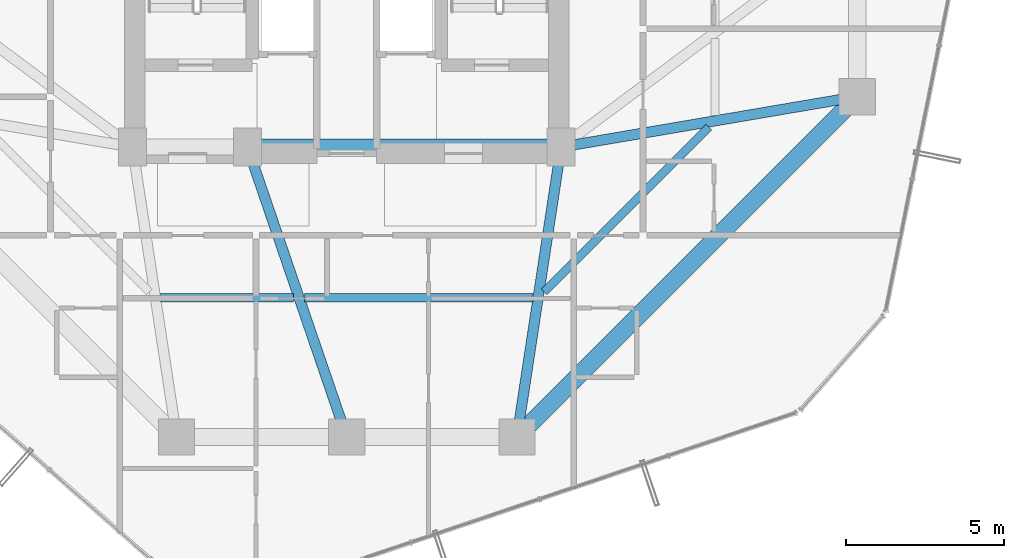
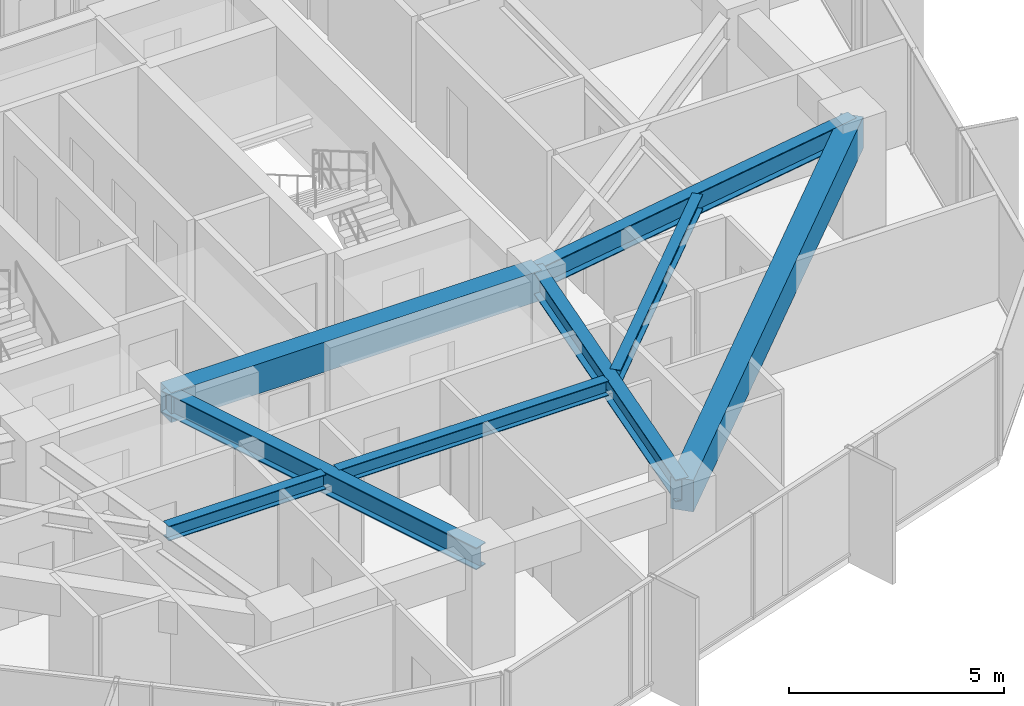
# One storey, part 10 of 32: 8 beams.
"""IFC4 building model written with IfcOpenShell, lengths in metres."""

from ifc_helpers import new_model, si_unit, direction, frame, origin, origin_2d, place, context, subcontext, project, spatial, rectangle, i_section, extrude, material, material_profile, profile_set, type_object, element, save


model = new_model("IFC4")

# Units and contexts
model_context = context("Model", 3, precision=1e-05, world=origin(), true_north=direction((0.0, 1.0)))
body_context = subcontext(model_context, "Body", "Model", "MODEL_VIEW")
ifc_project = project(units=[si_unit("LENGTHUNIT", "METRE"), si_unit("AREAUNIT", "SQUARE_METRE"), si_unit("VOLUMEUNIT", "CUBIC_METRE"), si_unit("PLANEANGLEUNIT", "RADIAN"), si_unit("MASSUNIT", "GRAM", prefix="KILO")], contexts=[model_context])

# Site, building, storey
site_placement = place(None, origin())
site = spatial("IfcSite", under=ifc_project, at=site_placement, CompositionType="ELEMENT")
building_placement = place(site_placement, origin())
building = spatial("IfcBuilding", under=site, at=building_placement, Name="Veraguas Prism Commons", CompositionType="ELEMENT")
storey_placement = place(building_placement, frame((0.0, 0.0, 89.449951171875)))
storey = spatial("IfcBuildingStorey", under=building, at=storey_placement, Name="L24", CompositionType="ELEMENT", Elevation=89.449951171875)

# Beams
ifc_material_1 = material(Name="Concrete C50/60", Category="concrete")
ifc_material_profile_1 = material_profile(ifc_material_1, rectangle(XDim=0.5, YDim=0.85009765625, at=origin_2d()), Name="RC500X850")
ifc_profile_set_1 = profile_set([ifc_material_profile_1], Name="Concrete C50/60")
beam_type_1 = type_object("IfcBeamType", Name="Core Coupling Beam RC 500x850", PredefinedType="BEAM", material=ifc_profile_set_1)
beam_1_placement = place(storey_placement, frame((20.85009765625, 17.0, 2.574951171875), z_axis=(1.0, 0.0, 0.0), x_axis=(0.0, 1.0, 0.0)))
element("IfcBeam", 1, at=beam_1_placement, inside=storey, type_object=beam_type_1, Name="Core Coupling Beam L24-CRS2", PredefinedType="BEAM", context=body_context, shape_type="SweptSolid", body=[
    extrude(rectangle(XDim=0.5, YDim=0.85009765625, at=origin_2d()), origin(), (0.0, 0.0, 1.0), 9.949951171875),
])
ifc_material_2 = material(Name="Steel ASTM A992 Grade 50", Category="steel")
ifc_material_profile_2 = material_profile(ifc_material_2, i_section(OverallWidth=0.260986328125, OverallDepth=0.419921875, WebThickness=0.01171875, FlangeThickness=0.019287109375, at=origin_2d()), Name="W410X114")
ifc_profile_set_2 = profile_set([ifc_material_profile_2], Name="Steel ASTM A992 Grade 50")
beam_type_2 = type_object("IfcBeamType", Name="Lower Floor Joist W410x114", PredefinedType="JOIST", material=ifc_profile_set_2)
beam_2_placement = place(storey_placement, frame((18.091796875, 12.216064453125, 2.7900390625), z_axis=(1.0, 0.0, 0.0), x_axis=(0.0, 1.0, 0.0)))
element("IfcBeam", 2, at=beam_2_placement, inside=storey, type_object=beam_type_2, Name="Composite Floor Joist L24-JS10", PredefinedType="JOIST", context=body_context, shape_type="SweptSolid", body=[
    extrude(i_section(OverallWidth=0.260986328125, OverallDepth=0.419921875, WebThickness=0.01171875, FlangeThickness=0.019287109375, at=origin_2d()), origin(), (0.0, 0.0, 1.0), 4.22509765625),
])
beam_3_placement = place(storey_placement, frame((22.6591796875, 12.216064453125, 2.7900390625), z_axis=(1.0, 0.0, 0.0), x_axis=(0.0, 1.0, 0.0)))
element("IfcBeam", 3, at=beam_3_placement, inside=storey, type_object=beam_type_2, Name="Composite Floor Joist L24-JS11", PredefinedType="JOIST", context=body_context, shape_type="SweptSolid", body=[
    extrude(i_section(OverallWidth=0.260986328125, OverallDepth=0.419921875, WebThickness=0.01171875, FlangeThickness=0.019287109375, at=origin_2d()), origin(), (0.0, 0.0, 1.0), 7.2490234375),
])
beam_4_placement = place(storey_placement, frame((30.265380859375, 12.4091796875, 2.7900390625), z_axis=(0.707090260193, 0.707123301794, 0.0), x_axis=(-0.707123301794, 0.707090260193, 0.0)))
element("IfcBeam", 4, at=beam_4_placement, inside=storey, type_object=beam_type_2, Name="Composite Floor Joist L24-JS12", PredefinedType="JOIST", context=body_context, shape_type="SweptSolid", body=[
    extrude(i_section(OverallWidth=0.260986328125, OverallDepth=0.419921875, WebThickness=0.01171875, FlangeThickness=0.019287109375, at=origin_2d()), origin(), (0.0, 0.0, 1.0), 7.388916015625),
])
ifc_material_profile_3 = material_profile(ifc_material_1, rectangle(XDim=0.550048828125, YDim=0.89990234375, at=origin_2d()), Name="RC550X900")
ifc_profile_set_3 = profile_set([ifc_material_profile_3], Name="Concrete C50/60")
beam_type_3 = type_object("IfcBeamType", Name="Perimeter Spandrel Lower RC 550x900", PredefinedType="SPANDREL", material=ifc_profile_set_3)
beam_5_placement = place(storey_placement, frame((29.39990234375, 7.800048828125, 2.550048828125), z_axis=(0.707106781187, 0.707106781187, 0.0), x_axis=(-0.707106781187, 0.707106781187, 0.0)))
element("IfcBeam", 5, at=beam_5_placement, inside=storey, type_object=beam_type_3, Name="Perimeter Spandrel Beam L24-SP12", PredefinedType="SPANDREL", context=body_context, shape_type="SweptSolid", body=[
    extrude(rectangle(XDim=0.550048828125, YDim=0.89990234375, at=origin_2d()), origin(), (0.0, 0.0, 1.0), 15.273681640625),
])
ifc_material_profile_4 = material_profile(ifc_material_2, i_section(OverallWidth=0.327880859375, OverallDepth=0.6220703125, WebThickness=0.015380859375, FlangeThickness=0.0244140625, at=origin_2d()), Name="W610X195")
ifc_profile_set_4 = profile_set([ifc_material_profile_4], Name="Steel ASTM A992 Grade 50")
beam_type_4 = type_object("IfcBeamType", Name="Zone 2 Radial Girder W610x195", PredefinedType="BEAM", material=ifc_profile_set_4)
beam_6_placement = place(storey_placement, frame((40.199951171875, 18.60009765625, 2.68896484375), z_axis=(-0.985819187151, -0.1678109956, 0.0), x_axis=(0.1678109956, -0.985819187151, 0.0)))
element("IfcBeam", 6, at=beam_6_placement, inside=storey, type_object=beam_type_4, Name="Radial Floor Girder L24-RD01", PredefinedType="BEAM", context=body_context, shape_type="SweptSolid", body=[
    extrude(i_section(OverallWidth=0.327880859375, OverallDepth=0.6220703125, WebThickness=0.015380859375, FlangeThickness=0.0244140625, at=origin_2d()), origin(), (0.0, 0.0, 1.0), 9.53515625),
])
beam_7_placement = place(storey_placement, frame((24.0, 7.800048828125, 2.68896484375), z_axis=(-0.323922482989, 0.946083624747, 0.0), x_axis=(-0.946083624747, -0.323922482989, 0.0)))
element("IfcBeam", 7, at=beam_7_placement, inside=storey, type_object=beam_type_4, Name="Radial Floor Girder L24-RD11", PredefinedType="BEAM", context=body_context, shape_type="SweptSolid", body=[
    extrude(i_section(OverallWidth=0.327880859375, OverallDepth=0.6220703125, WebThickness=0.015380859375, FlangeThickness=0.0244140625, at=origin_2d()), origin(), (0.0, 0.0, 1.0), 9.724365234375),
])
beam_8_placement = place(storey_placement, frame((29.39990234375, 7.800048828125, 2.68896484375), z_axis=(0.150458162136, 0.98861637729, 0.0), x_axis=(-0.98861637729, 0.150458162136, 0.0)))
element("IfcBeam", 8, at=beam_8_placement, inside=storey, type_object=beam_type_4, Name="Radial Floor Girder L24-RD12", PredefinedType="BEAM", context=body_context, shape_type="SweptSolid", body=[
    extrude(i_section(OverallWidth=0.327880859375, OverallDepth=0.6220703125, WebThickness=0.015380859375, FlangeThickness=0.0244140625, at=origin_2d()), origin(), (0.0, 0.0, 1.0), 9.305908203125),
])

save(model, "model.ifc")
